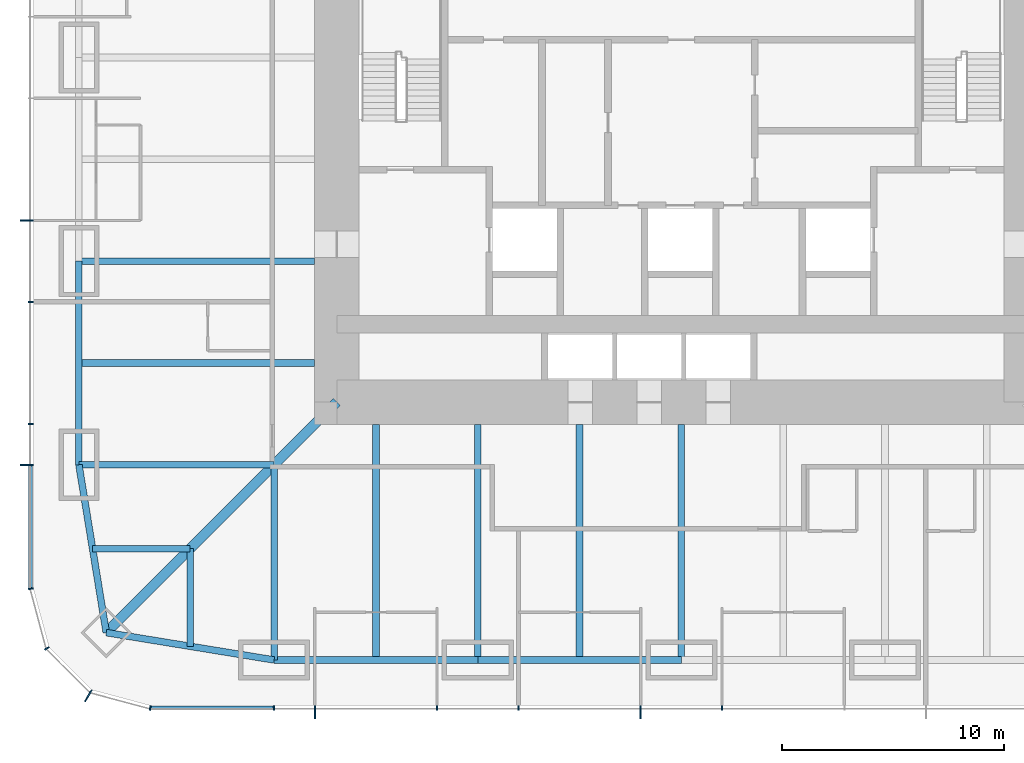
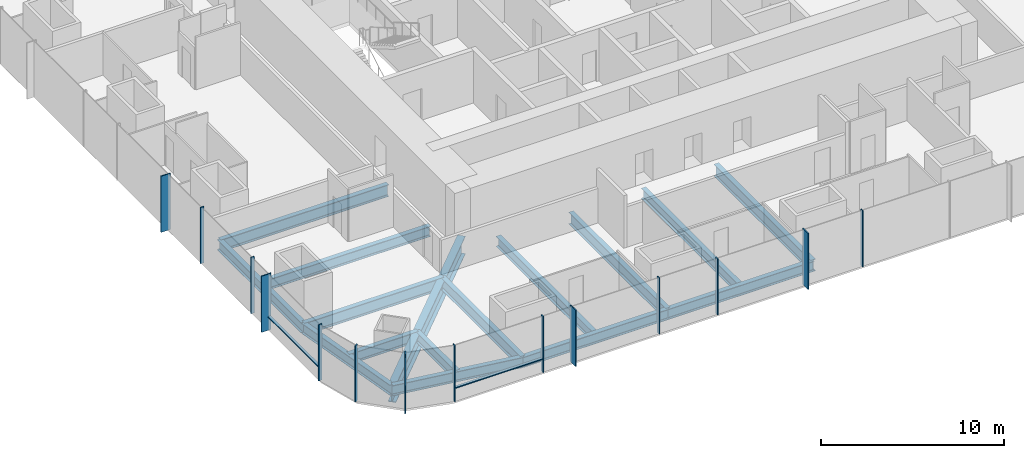
# One storey, part 2 of 13: 16 beams, 16 members, 3 elements without a shape of their own.
"""IFC4 building model written with IfcOpenShell, lengths in metres."""

from ifc_helpers import new_model, si_unit, direction, frame, origin, origin_2d, place, context, subcontext, project, spatial, rectangle, i_section, extrude, material, material_profile, profile_set, type_object, element, aggregate, save


model = new_model("IFC4")

# Units and contexts
model_context = context("Model", 3, precision=1e-05, world=origin(), true_north=direction((0.0, 1.0)))
body_context = subcontext(model_context, "Body", "Model", "MODEL_VIEW")
ifc_project = project(units=[si_unit("LENGTHUNIT", "METRE"), si_unit("AREAUNIT", "SQUARE_METRE"), si_unit("VOLUMEUNIT", "CUBIC_METRE"), si_unit("PLANEANGLEUNIT", "RADIAN"), si_unit("MASSUNIT", "GRAM", prefix="KILO")], contexts=[model_context])

# Site, building, storey
site_placement = place(None, origin())
site = spatial("IfcSite", under=ifc_project, at=site_placement, CompositionType="ELEMENT")
building_placement = place(site_placement, origin())
building = spatial("IfcBuilding", under=site, at=building_placement, Name="Khuree Lantern Residences", CompositionType="ELEMENT")
storey_placement = place(building_placement, frame((0.0, 0.0, 114.75)))
storey = spatial("IfcBuildingStorey", under=building, at=storey_placement, Name="L28", CompositionType="ELEMENT", Elevation=114.75)

# Beams
ifc_material_1 = material(Name="Steel S355", Category="steel")
ifc_material_profile_1 = material_profile(ifc_material_1, i_section(OverallWidth=0.300048828125, OverallDepth=0.68994140625, WebThickness=0.014404296875, FlangeThickness=0.027099609375, FilletRadius=0.027099609375, at=origin_2d()), Name="HE 700 A")
ifc_profile_set_1 = profile_set([ifc_material_profile_1], Name="Steel S355")
beam_type_1 = type_object("IfcBeamType", Name="B-21A SECONDARY BEAM HE 700 A", PredefinedType="BEAM", material=ifc_profile_set_1)
for number, where, z_axis, x_axis, name in (
    (1, (-4.580078125, -27.10009765625, -0.594970703125), (0.0, 1.0, 0.0), (-1.0, 0.0, 0.0), "Secondary beam S4"),
    (2, (-13.739990234375, -27.10009765625, -0.594970703125), (0.0, 1.0, 0.0), (-1.0, 0.0, 0.0), "Secondary beam S5"),
):
    element("IfcBeam", number, at=place(storey_placement, frame(where, z_axis=z_axis, x_axis=x_axis)), inside=storey, type_object=beam_type_1, Name=name, PredefinedType="BEAM", context=body_context, shape_type="SweptSolid", body=[
        extrude(i_section(OverallWidth=0.300048828125, OverallDepth=0.68994140625, WebThickness=0.014404296875, FlangeThickness=0.027099609375, FilletRadius=0.027099609375, at=origin_2d()), origin(), (0.0, 0.0, 1.0), 10.60009765625),
    ])
for number, where, z_axis, x_axis, name in (
    (3, (-22.094970703125, -26.48486328125, -0.594970703125), (0.0, 1.0, 0.0), (-1.0, 0.0, 0.0), "Secondary beam S6"),
    (4, (-26.48486328125, -22.094970703125, -0.594970703125), (1.0, 0.0, 0.0), (0.0, 1.0, 0.0), "Secondary beam W1"),
):
    element("IfcBeam", number, at=place(storey_placement, frame(where, z_axis=z_axis, x_axis=x_axis)), inside=storey, type_object=beam_type_1, Name=name, PredefinedType="BEAM", context=body_context, shape_type="SweptSolid", body=[
        extrude(i_section(OverallWidth=0.300048828125, OverallDepth=0.68994140625, WebThickness=0.014404296875, FlangeThickness=0.027099609375, FilletRadius=0.027099609375, at=origin_2d()), origin(), (0.0, 0.0, 1.0), 4.389892578125),
    ])
beam_1_placement = place(storey_placement, frame((-27.10009765625, -13.739990234375, -0.594970703125), z_axis=(1.0, 0.0, 0.0), x_axis=(0.0, 1.0, 0.0)))
element("IfcBeam", 5, at=beam_1_placement, inside=storey, type_object=beam_type_1, Name="Secondary beam W2", PredefinedType="BEAM", context=body_context, shape_type="SweptSolid", body=[
    extrude(i_section(OverallWidth=0.300048828125, OverallDepth=0.68994140625, WebThickness=0.014404296875, FlangeThickness=0.027099609375, FilletRadius=0.027099609375, at=origin_2d()), origin(), (0.0, 0.0, 1.0), 10.60009765625),
])
ifc_material_profile_2 = material_profile(ifc_material_1, i_section(OverallWidth=0.300048828125, OverallDepth=0.68994140625, WebThickness=0.014404296875, FlangeThickness=0.027099609375, FilletRadius=0.027099609375, at=origin_2d()), Name="HE 700 A")
ifc_profile_set_2 = profile_set([ifc_material_profile_2], Name="Steel S355")
beam_type_2 = type_object("IfcBeamType", Name="E-21 SPANDREL BEAM HE 700 A", PredefinedType="SPANDREL", material=ifc_profile_set_2)
beam_2_placement = place(storey_placement, frame((0.0, -27.10009765625, -0.594970703125), z_axis=(-1.0, 0.0, 0.0), x_axis=(0.0, -1.0, 0.0)))
element("IfcBeam", 6, at=beam_2_placement, inside=storey, type_object=beam_type_2, Name="Spandrel beam S4", PredefinedType="SPANDREL", context=body_context, shape_type="SweptSolid", body=[
    extrude(i_section(OverallWidth=0.300048828125, OverallDepth=0.68994140625, WebThickness=0.014404296875, FlangeThickness=0.027099609375, FilletRadius=0.027099609375, at=origin_2d()), origin(), (0.0, 0.0, 1.0), 9.159912109375),
])
beam_3_placement = place(storey_placement, frame((-9.159912109375, -27.10009765625, -0.594970703125), z_axis=(-1.0, 0.0, 0.0), x_axis=(0.0, -1.0, 0.0)))
element("IfcBeam", 7, at=beam_3_placement, inside=storey, type_object=beam_type_2, Name="Spandrel beam S5", PredefinedType="SPANDREL", context=body_context, shape_type="SweptSolid", body=[
    extrude(i_section(OverallWidth=0.300048828125, OverallDepth=0.68994140625, WebThickness=0.014404296875, FlangeThickness=0.027099609375, FilletRadius=0.027099609375, at=origin_2d()), origin(), (0.0, 0.0, 1.0), 9.16015625),
])
for number, where, z_axis, x_axis, name in (
    (8, (-18.320068359375, -27.10009765625, -0.594970703125), (-0.986982656839, 0.160826723833, 0.0), (-0.160826723833, -0.986982656839, 0.0), "Spandrel beam S6"),
    (9, (-25.869873046875, -25.869873046875, -0.594970703125), (-0.160826723833, 0.986982656839, 0.0), (-0.986982656839, -0.160826723833, 0.0), "Spandrel beam W1"),
):
    element("IfcBeam", number, at=place(storey_placement, frame(where, z_axis=z_axis, x_axis=x_axis)), inside=storey, type_object=beam_type_2, Name=name, PredefinedType="SPANDREL", context=body_context, shape_type="SweptSolid", body=[
        extrude(i_section(OverallWidth=0.300048828125, OverallDepth=0.68994140625, WebThickness=0.014404296875, FlangeThickness=0.027099609375, FilletRadius=0.027099609375, at=origin_2d()), origin(), (0.0, 0.0, 1.0), 7.6494140625),
    ])
beam_4_placement = place(storey_placement, frame((-27.10009765625, -18.320068359375, -0.594970703125), z_axis=(0.0, 1.0, 0.0), x_axis=(-1.0, 0.0, 0.0)))
element("IfcBeam", 10, at=beam_4_placement, inside=storey, type_object=beam_type_2, Name="Spandrel beam W2", PredefinedType="SPANDREL", context=body_context, shape_type="SweptSolid", body=[
    extrude(i_section(OverallWidth=0.300048828125, OverallDepth=0.68994140625, WebThickness=0.014404296875, FlangeThickness=0.027099609375, FilletRadius=0.027099609375, at=origin_2d()), origin(), (0.0, 0.0, 1.0), 9.16015625),
])

# Curtain wall, members
ifc_material_2 = material(Name="Bronze anodised aluminium", Category="aluminium")
curtain_wall_type_1 = type_object("IfcCurtainWallType", Name="CW-T1 TOWER FACE CURTAIN WALL", PredefinedType="USERDEFINED", material=ifc_material_2)
curtain_wall_1_placement = place(storey_placement, origin())
curtain_wall_1 = element("IfcCurtainWall", 11, at=curtain_wall_1_placement, inside=storey, type_object=curtain_wall_type_1, Name="L28 WEST FACE CURTAIN WALL", ObjectType="Stick-built curtain wall", PredefinedType="USERDEFINED")
ifc_material_profile_3 = material_profile(ifc_material_2, rectangle(XDim=0.06494140625, YDim=0.60009765625, at=origin_2d()), Name="F1 65X600")
ifc_profile_set_3 = profile_set([ifc_material_profile_3], Name="Bronze anodised aluminium")
member_type_1 = type_object("IfcMemberType", Name="F1 BRONZE FIN MULLION TOWER 65X600", PredefinedType="MULLION", material=ifc_profile_set_3)
member_1_placement = place(storey_placement, frame((-29.449951171875, -7.327880859375, 0.0), z_axis=(0.0, 0.0, 1.0), x_axis=(0.0, -1.0, 0.0)))
member_1 = element("IfcMember", 12, at=member_1_placement, type_object=member_type_1, Name="L28 WEST FACE FIN MULLION 39", PredefinedType="MULLION", context=body_context, shape_type="SweptSolid", body=[
    extrude(rectangle(XDim=0.06494140625, YDim=0.60009765625, at=origin_2d()), origin(), (0.0, 0.0, 1.0), 3.75),
])
member_2_placement = place(storey_placement, frame((-29.449951171875, -18.320068359375, 0.0), z_axis=(0.0, 0.0, 1.0), x_axis=(0.0, -1.0, 0.0)))
member_2 = element("IfcMember", 13, at=member_2_placement, type_object=member_type_1, Name="L28 WEST FACE FIN MULLION 42", PredefinedType="MULLION", context=body_context, shape_type="SweptSolid", body=[
    extrude(rectangle(XDim=0.06494140625, YDim=0.60009765625, at=origin_2d()), origin(), (0.0, 0.0, 1.0), 3.75),
])

# Curtain wall, member
curtain_wall_type_2 = type_object("IfcCurtainWallType", Name="CW-T2 TOWER CORNER CURTAIN WALL", PredefinedType="USERDEFINED", material=ifc_material_2)
curtain_wall_2_placement = place(storey_placement, origin())
curtain_wall_2 = element("IfcCurtainWall", 14, at=curtain_wall_2_placement, inside=storey, type_object=curtain_wall_type_2, Name="L28 SOUTH-WEST CORNER CURTAIN WALL", ObjectType="Faceted corner curtain wall", PredefinedType="USERDEFINED")
member_3_placement = place(storey_placement, frame((-26.675048828125, -28.70654296875, 0.0), z_axis=(0.0, 0.0, 1.0), x_axis=(0.866025388199, -0.500000026995, 0.0)))
member_3 = element("IfcMember", 15, at=member_3_placement, type_object=member_type_1, Name="L28 SOUTH-WEST CORNER FIN MULLION 45", PredefinedType="MULLION", context=body_context, shape_type="SweptSolid", body=[
    extrude(rectangle(XDim=0.06494140625, YDim=0.60009765625, at=origin_2d()), origin(), (0.0, 0.0, 1.0), 3.75),
])

# Curtain wall, members
curtain_wall_3_placement = place(storey_placement, origin())
curtain_wall_3 = element("IfcCurtainWall", 16, at=curtain_wall_3_placement, inside=storey, type_object=curtain_wall_type_1, Name="L28 SOUTH FACE CURTAIN WALL", ObjectType="Stick-built curtain wall", PredefinedType="USERDEFINED")
member_4_placement = place(storey_placement, frame((-16.488037109375, -29.449951171875, 0.0), z_axis=(0.0, 0.0, 1.0), x_axis=(1.0, 0.0, 0.0)))
member_4 = element("IfcMember", 17, at=member_4_placement, type_object=member_type_1, Name="L28 SOUTH FACE FIN MULLION 48", PredefinedType="MULLION", context=body_context, shape_type="SweptSolid", body=[
    extrude(rectangle(XDim=0.06494140625, YDim=0.60009765625, at=origin_2d()), origin(), (0.0, 0.0, 1.0), 3.75),
])
member_5_placement = place(storey_placement, frame((-1.83203125, -29.449951171875, 0.0), z_axis=(0.0, 0.0, 1.0), x_axis=(1.0, 0.0, 0.0)))
member_5 = element("IfcMember", 18, at=member_5_placement, type_object=member_type_1, Name="L28 SOUTH FACE FIN MULLION 51", PredefinedType="MULLION", context=body_context, shape_type="SweptSolid", body=[
    extrude(rectangle(XDim=0.06494140625, YDim=0.60009765625, at=origin_2d()), origin(), (0.0, 0.0, 1.0), 3.75),
])

# Beams
ifc_material_profile_4 = material_profile(ifc_material_1, i_section(OverallWidth=0.300048828125, OverallDepth=0.800048828125, WebThickness=0.017578125, FlangeThickness=0.032958984375, FilletRadius=0.030029296875, at=origin_2d()), Name="HE 800 B")
ifc_profile_set_4 = profile_set([ifc_material_profile_4], Name="Steel S355")
beam_type_3 = type_object("IfcBeamType", Name="G-21 GIRDER HE 800 B", PredefinedType="BEAM", material=ifc_profile_set_4)
for number, where, z_axis, x_axis, name in (
    (19, (0.0, -27.10009765625, -0.64990234375), (0.0, 1.0, 0.0), (-1.0, 0.0, 0.0), "Girder S3"),
    (20, (-9.159912109375, -27.10009765625, -0.64990234375), (0.0, 1.0, 0.0), (-1.0, 0.0, 0.0), "Girder S4"),
):
    element("IfcBeam", number, at=place(storey_placement, frame(where, z_axis=z_axis, x_axis=x_axis)), inside=storey, type_object=beam_type_3, Name=name, PredefinedType="BEAM", context=body_context, shape_type="SweptSolid", body=[
        extrude(i_section(OverallWidth=0.300048828125, OverallDepth=0.800048828125, WebThickness=0.017578125, FlangeThickness=0.032958984375, FilletRadius=0.030029296875, at=origin_2d()), origin(), (0.0, 0.0, 1.0), 10.60009765625),
    ])
for number, where, z_axis, x_axis, name in (
    (21, (-18.320068359375, -27.10009765625, -0.64990234375), (0.0, 1.0, 0.0), (-1.0, 0.0, 0.0), "Girder S5"),
    (22, (-27.10009765625, -18.320068359375, -0.64990234375), (1.0, 0.0, 0.0), (0.0, 1.0, 0.0), "Girder W1"),
):
    element("IfcBeam", number, at=place(storey_placement, frame(where, z_axis=z_axis, x_axis=x_axis)), inside=storey, type_object=beam_type_3, Name=name, PredefinedType="BEAM", context=body_context, shape_type="SweptSolid", body=[
        extrude(i_section(OverallWidth=0.300048828125, OverallDepth=0.800048828125, WebThickness=0.017578125, FlangeThickness=0.032958984375, FilletRadius=0.030029296875, at=origin_2d()), origin(), (0.0, 0.0, 1.0), 8.780029296875),
    ])
beam_5_placement = place(storey_placement, frame((-27.10009765625, -9.159912109375, -0.64990234375), z_axis=(1.0, 0.0, 0.0), x_axis=(0.0, 1.0, 0.0)))
element("IfcBeam", 23, at=beam_5_placement, inside=storey, type_object=beam_type_3, Name="Girder W2", PredefinedType="BEAM", context=body_context, shape_type="SweptSolid", body=[
    extrude(i_section(OverallWidth=0.300048828125, OverallDepth=0.800048828125, WebThickness=0.017578125, FlangeThickness=0.032958984375, FilletRadius=0.030029296875, at=origin_2d()), origin(), (0.0, 0.0, 1.0), 10.60009765625),
])
ifc_material_profile_5 = material_profile(ifc_material_1, i_section(OverallWidth=0.449951171875, OverallDepth=1.199951171875, WebThickness=0.02490234375, FlangeThickness=0.044921875, at=origin_2d()), Name="WELDED I 1200X450X25X45")
ifc_profile_set_5 = profile_set([ifc_material_profile_5], Name="Steel S355")
beam_type_4 = type_object("IfcBeamType", Name="GD-21 CORNER GIRDER WELDED I 1200X450X25X45", PredefinedType="BEAM", material=ifc_profile_set_5)
beam_6_placement = place(storey_placement, frame((-25.869873046875, -25.869873046875, -0.85009765625), z_axis=(0.707106781187, 0.707106781187, 0.0), x_axis=(-0.707106781187, 0.707106781187, 0.0)))
element("IfcBeam", 24, at=beam_6_placement, inside=storey, type_object=beam_type_4, Name="Corner girder SW", PredefinedType="BEAM", context=body_context, shape_type="SweptSolid", body=[
    extrude(i_section(OverallWidth=0.449951171875, OverallDepth=1.199951171875, WebThickness=0.02490234375, FlangeThickness=0.044921875, at=origin_2d()), origin(), (0.0, 0.0, 1.0), 14.665283203125),
])

# Member
ifc_material_profile_6 = material_profile(ifc_material_2, rectangle(XDim=0.06494140625, YDim=0.219970703125, at=origin_2d()), Name="M1 65X220")
ifc_profile_set_6 = profile_set([ifc_material_profile_6], Name="Bronze anodised aluminium")
member_type_2 = type_object("IfcMemberType", Name="M1 BRONZE MULLION TOWER 65X220", PredefinedType="MULLION", material=ifc_profile_set_6)
member_6_placement = place(storey_placement, frame((-29.260009765625, -10.991943359375, 0.0), z_axis=(0.0, 0.0, 1.0), x_axis=(0.0, -1.0, 0.0)))
member_6 = element("IfcMember", 25, at=member_6_placement, type_object=member_type_2, Name="L28 WEST FACE MULLION 40", PredefinedType="MULLION", context=body_context, shape_type="SweptSolid", body=[
    extrude(rectangle(XDim=0.06494140625, YDim=0.219970703125, at=origin_2d()), origin(), (0.0, 0.0, 1.0), 3.75),
])

member_7_placement = place(storey_placement, frame((-29.260009765625, -16.488037109375, 0.0), z_axis=(0.0, 0.0, 1.0), x_axis=(0.0, -1.0, 0.0)))
member_7 = element("IfcMember", 26, at=member_7_placement, type_object=member_type_2, Name="L28 WEST FACE MULLION 41", PredefinedType="MULLION", context=body_context, shape_type="SweptSolid", body=[
    extrude(rectangle(XDim=0.06494140625, YDim=0.219970703125, at=origin_2d()), origin(), (0.0, 0.0, 1.0), 3.75),
])

member_8_placement = place(storey_placement, frame((-29.26171875, -23.89501953125, 0.0), z_axis=(0.0, 0.0, 1.0), x_axis=(0.130526223125, -0.991444857305, 0.0)))
member_8 = element("IfcMember", 27, at=member_8_placement, type_object=member_type_2, Name="L28 SOUTH-WEST CORNER MULLION 43", PredefinedType="MULLION", context=body_context, shape_type="SweptSolid", body=[
    extrude(rectangle(XDim=0.06494140625, YDim=0.219970703125, at=origin_2d()), origin(), (0.0, 0.0, 1.0), 3.75),
])

member_9_placement = place(storey_placement, frame((-28.5419921875, -26.580078125, 0.0), z_axis=(0.0, 0.0, 1.0), x_axis=(0.500000026995, -0.866025388199, 0.0)))
member_9 = element("IfcMember", 28, at=member_9_placement, type_object=member_type_2, Name="L28 SOUTH-WEST CORNER MULLION 44", PredefinedType="MULLION", context=body_context, shape_type="SweptSolid", body=[
    extrude(rectangle(XDim=0.06494140625, YDim=0.219970703125, at=origin_2d()), origin(), (0.0, 0.0, 1.0), 3.75),
])

aggregate(curtain_wall_2, [member_8, member_9, member_3])

member_10_placement = place(storey_placement, frame((-23.89501953125, -29.26171875, 0.0), z_axis=(0.0, 0.0, 1.0), x_axis=(0.991444857305, -0.130526223125, 0.0)))
member_10 = element("IfcMember", 29, at=member_10_placement, type_object=member_type_2, Name="L28 SOUTH FACE MULLION 46", PredefinedType="MULLION", context=body_context, shape_type="SweptSolid", body=[
    extrude(rectangle(XDim=0.06494140625, YDim=0.219970703125, at=origin_2d()), origin(), (0.0, 0.0, 1.0), 3.75),
])

member_11_placement = place(storey_placement, frame((-18.320068359375, -29.260009765625, 0.0), z_axis=(0.0, 0.0, 1.0), x_axis=(1.0, 0.0, 0.0)))
member_11 = element("IfcMember", 30, at=member_11_placement, type_object=member_type_2, Name="L28 SOUTH FACE MULLION 47", PredefinedType="MULLION", context=body_context, shape_type="SweptSolid", body=[
    extrude(rectangle(XDim=0.06494140625, YDim=0.219970703125, at=origin_2d()), origin(), (0.0, 0.0, 1.0), 3.75),
])

member_12_placement = place(storey_placement, frame((-10.991943359375, -29.260009765625, 0.0), z_axis=(0.0, 0.0, 1.0), x_axis=(1.0, 0.0, 0.0)))
member_12 = element("IfcMember", 31, at=member_12_placement, type_object=member_type_2, Name="L28 SOUTH FACE MULLION 49", PredefinedType="MULLION", context=body_context, shape_type="SweptSolid", body=[
    extrude(rectangle(XDim=0.06494140625, YDim=0.219970703125, at=origin_2d()), origin(), (0.0, 0.0, 1.0), 3.75),
])

member_13_placement = place(storey_placement, frame((-7.327880859375, -29.260009765625, 0.0), z_axis=(0.0, 0.0, 1.0), x_axis=(1.0, 0.0, 0.0)))
member_13 = element("IfcMember", 32, at=member_13_placement, type_object=member_type_2, Name="L28 SOUTH FACE MULLION 50", PredefinedType="MULLION", context=body_context, shape_type="SweptSolid", body=[
    extrude(rectangle(XDim=0.06494140625, YDim=0.219970703125, at=origin_2d()), origin(), (0.0, 0.0, 1.0), 3.75),
])

member_14_placement = place(storey_placement, frame((1.83203125, -29.260009765625, 0.0), z_axis=(0.0, 0.0, 1.0), x_axis=(1.0, 0.0, 0.0)))
member_14 = element("IfcMember", 33, at=member_14_placement, type_object=member_type_2, Name="L28 SOUTH FACE MULLION 52", PredefinedType="MULLION", context=body_context, shape_type="SweptSolid", body=[
    extrude(rectangle(XDim=0.06494140625, YDim=0.219970703125, at=origin_2d()), origin(), (0.0, 0.0, 1.0), 3.75),
])

ifc_material_profile_7 = material_profile(ifc_material_2, rectangle(XDim=0.179931640625, YDim=0.06494140625, at=origin_2d()), Name="T1 180X65")
ifc_profile_set_7 = profile_set([ifc_material_profile_7], Name="Bronze anodised aluminium")
member_type_3 = type_object("IfcMemberType", Name="TRANSOM T1 TOWER 180X65", PredefinedType="USERDEFINED", material=ifc_profile_set_7)
member_15_placement = place(storey_placement, frame((-29.27001953125, -18.3525390625, 0.89990234375), z_axis=(0.0, -1.0, 0.0), x_axis=(1.0, 0.0, 0.0)))
member_15 = element("IfcMember", 34, at=member_15_placement, type_object=member_type_3, Name="L28 WEST FACE TRANSOM 42.1", ObjectType="Transom", PredefinedType="USERDEFINED", context=body_context, shape_type="SweptSolid", body=[
    extrude(rectangle(XDim=0.179931640625, YDim=0.06494140625, at=origin_2d()), origin(), (0.0, 0.0, 1.0), 5.498779296875),
])

aggregate(curtain_wall_1, [member_1, member_6, member_7, member_2, member_15])

member_16_placement = place(storey_placement, frame((-23.851318359375, -29.27001953125, 0.89990234375), z_axis=(1.0, 0.0, 0.0), x_axis=(0.0, 1.0, 0.0)))
member_16 = element("IfcMember", 35, at=member_16_placement, type_object=member_type_3, Name="L28 SOUTH FACE TRANSOM 46.1", ObjectType="Transom", PredefinedType="USERDEFINED", context=body_context, shape_type="SweptSolid", body=[
    extrude(rectangle(XDim=0.179931640625, YDim=0.06494140625, at=origin_2d()), origin(), (0.0, 0.0, 1.0), 5.498779296875),
])

aggregate(curtain_wall_3, [member_10, member_11, member_4, member_12, member_13, member_5, member_14, member_16])

save(model, "model.ifc")
